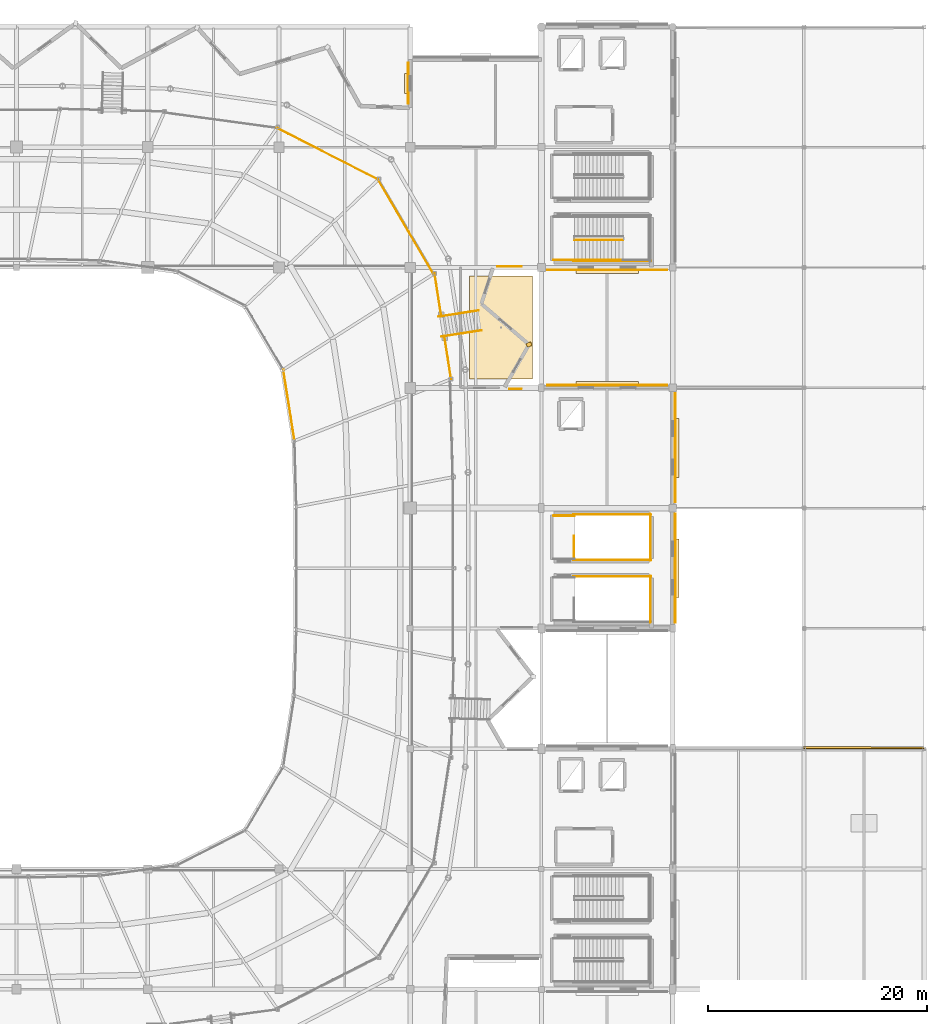
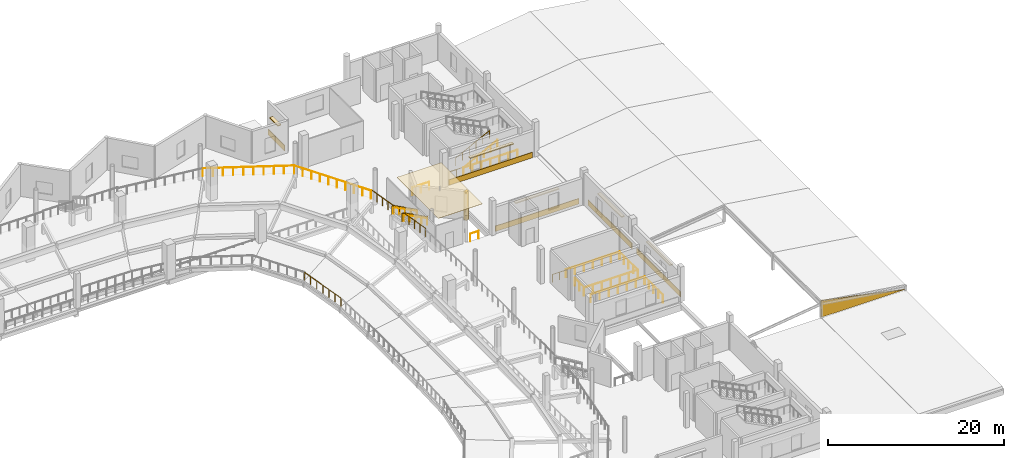
# One storey, part 75 of 77: 22 railings, 13 coverings.
"""IFC4 building model written with IfcOpenShell, lengths in metres."""

from ifc_helpers import new_model, si_unit, direction, frame, origin, origin_2d, place, context, subcontext, project, spatial, polyline, rectangle, circle, outline, extrude, material, layer, layer_set, type_object, element, save


model = new_model("IFC4")

# Units and contexts
model_context = context("Model", 3, precision=1e-05, world=origin(), true_north=direction((0.0, 1.0)))
body_context = subcontext(model_context, "Body", "Model", "MODEL_VIEW")
ifc_project = project(units=[si_unit("LENGTHUNIT", "METRE"), si_unit("AREAUNIT", "SQUARE_METRE"), si_unit("VOLUMEUNIT", "CUBIC_METRE"), si_unit("PLANEANGLEUNIT", "RADIAN"), si_unit("MASSUNIT", "GRAM", prefix="KILO")], contexts=[model_context])

# Site, building, storey
site_placement = place(None, origin())
site = spatial("IfcSite", under=ifc_project, at=site_placement, CompositionType="ELEMENT")
building_placement = place(site_placement, origin())
building = spatial("IfcBuilding", under=site, at=building_placement, Name="Luwafu Chhajja Arena", CompositionType="ELEMENT")
storey_placement = place(building_placement, frame((0.0, 0.0, 14.699951171875)))
storey = spatial("IfcBuildingStorey", under=building, at=storey_placement, Name="L03", CompositionType="ELEMENT", Elevation=14.699951171875)

# Railings
ifc_material_1 = material(Name="Stainless steel balustrade", Category="steel")
railing_type_1 = type_object("IfcRailingType", Name="Atrium Void Glazed Balustrade 1150", PredefinedType="BALUSTRADE", material=ifc_material_1)
railing_1_placement = place(storey_placement, frame((146.22998046875, 73.06640625, 0.0)))
element("IfcRailing", 1, at=railing_1_placement, inside=storey, type_object=railing_type_1, Name="L03 Vomitory VM-09 Guard L", PredefinedType="BALUSTRADE", context=body_context, shape_type="SweptSolid", body=[
    extrude(circle(Radius=0.02392578125, at=origin_2d()), frame((0.0, 0.0, 1.1259765625), z_axis=(-0.85023777586, -0.133039150578, 0.509309639527), x_axis=(0.154591826096, -0.987978424514, 0.0)), (0.0, 0.0, 1.0), 3.98583984375),
    extrude(circle(Radius=0.02392578125, at=origin_2d()), frame((-3.388916015625, -0.5302734375, 3.15576171875), z_axis=(-0.98803064077, -0.154257748263, 0.0), x_axis=(0.154257748263, -0.98803064077, 0.0)), (0.0, 0.0, 1.0), 0.25),
    extrude(circle(Radius=0.02099609375, at=origin_2d()), origin(), (0.0, 0.0, 1.0), 1.101806640625),
    extrude(circle(Radius=0.02099609375, at=origin_2d()), frame((-0.84716796875, -0.132568359375, 0.507568359375)), (0.0, 0.0, 1.0), 1.101806640625),
    extrude(circle(Radius=0.02099609375, at=origin_2d()), frame((-1.6943359375, -0.26513671875, 1.01513671875)), (0.0, 0.0, 1.0), 1.101806640625),
    extrude(circle(Radius=0.02099609375, at=origin_2d()), frame((-2.541748046875, -0.397705078125, 1.5224609375)), (0.0, 0.0, 1.0), 1.101806640625),
    extrude(circle(Radius=0.02099609375, at=origin_2d()), frame((-3.388916015625, -0.5302734375, 2.030029296875)), (0.0, 0.0, 1.0), 1.101806640625),
    extrude(circle(Radius=0.02099609375, at=origin_2d()), frame((-3.635986328125, -0.56884765625, 2.030029296875)), (0.0, 0.0, 1.0), 1.101806640625),
])
railing_2_placement = place(storey_placement, frame((146.514404296875, 71.24853515625, 0.0)))
element("IfcRailing", 2, at=railing_2_placement, inside=storey, type_object=railing_type_1, Name="L03 Vomitory VM-09 Guard R", PredefinedType="BALUSTRADE", context=body_context, shape_type="SweptSolid", body=[
    extrude(circle(Radius=0.02392578125, at=origin_2d()), frame((0.0, 0.0, 1.1259765625), z_axis=(-0.850220801891, -0.133046079374, 0.509336164822), x_axis=(0.154602697631, -0.987976723352, 0.0)), (0.0, 0.0, 1.0), 3.985595703125),
    extrude(circle(Radius=0.02392578125, at=origin_2d()), frame((-3.388671875, -0.5302734375, 3.15576171875), z_axis=(-0.98803064077, -0.154257748263, 0.0), x_axis=(0.154257748263, -0.98803064077, 0.0)), (0.0, 0.0, 1.0), 0.25),
    extrude(circle(Radius=0.02099609375, at=origin_2d()), origin(), (0.0, 0.0, 1.0), 1.101806640625),
    extrude(circle(Radius=0.02099609375, at=origin_2d()), frame((-0.84716796875, -0.132568359375, 0.507568359375)), (0.0, 0.0, 1.0), 1.101806640625),
    extrude(circle(Radius=0.02099609375, at=origin_2d()), frame((-1.6943359375, -0.26513671875, 1.01513671875)), (0.0, 0.0, 1.0), 1.101806640625),
    extrude(circle(Radius=0.02099609375, at=origin_2d()), frame((-2.54150390625, -0.397705078125, 1.5224609375)), (0.0, 0.0, 1.0), 1.101806640625),
    extrude(circle(Radius=0.02099609375, at=origin_2d()), frame((-3.388671875, -0.5302734375, 2.030029296875)), (0.0, 0.0, 1.0), 1.101806640625),
    extrude(circle(Radius=0.02099609375, at=origin_2d()), frame((-3.6357421875, -0.56884765625, 2.030029296875)), (0.0, 0.0, 1.0), 1.101806640625),
])
for number, where, name in (
    (3, (142.227294921875, 76.4580078125, 2.030029296875), "L03 Vomitory VM-09 Wing Guard L"),
    (4, (143.125732421875, 70.71826171875, 2.030029296875), "L03 Vomitory VM-09 Wing Guard R"),
):
    element("IfcRailing", number, at=place(storey_placement, frame(where)), inside=storey, type_object=railing_type_1, Name=name, PredefinedType="BALUSTRADE", context=body_context, shape_type="SweptSolid", body=[
        extrude(circle(Radius=0.02392578125, at=origin_2d()), frame((0.0, 0.0, 1.1259765625), z_axis=(0.154617022341, -0.987974481656, 0.0), x_axis=(0.987974481656, 0.154617022341, 0.0)), (0.0, 0.0, 1.0), 3.9697265625),
        extrude(circle(Radius=0.02099609375, at=origin_2d()), origin(), (0.0, 0.0, 1.0), 1.101806640625),
        extrude(circle(Radius=0.02099609375, at=origin_2d()), frame((0.1533203125, -0.98046875, 0.0)), (0.0, 0.0, 1.0), 1.101806640625),
        extrude(circle(Radius=0.02099609375, at=origin_2d()), frame((0.306884765625, -1.9609375, 0.0)), (0.0, 0.0, 1.0), 1.101806640625),
        extrude(circle(Radius=0.02099609375, at=origin_2d()), frame((0.46044921875, -2.94140625, 0.0)), (0.0, 0.0, 1.0), 1.101806640625),
        extrude(circle(Radius=0.02099609375, at=origin_2d()), frame((0.61376953125, -3.921875, 0.0)), (0.0, 0.0, 1.0), 1.101806640625),
    ])

# Coverings
ifc_material_2 = material(Name="Red laterite sandstone cladding", Category="masonry")
ifc_layer_1 = layer(ifc_material_2, 0.074951171875, Name="Red laterite sandstone cladding")
ifc_layer_set_1 = layer_set([ifc_layer_1], Name="Red laterite sandstone cladding")
covering_type_1 = type_object("IfcCoveringType", Name="Dressed Red-Laterite Sandstone Cladding", PredefinedType="CLADDING", material=ifc_layer_set_1)
covering_1_placement = place(storey_placement, frame((176.0, 33.0, 0.050048828125), z_axis=(0.0, -0.999848516615, 0.01740528147), x_axis=(1.0, 0.0, 0.0)))
element("IfcCovering", 5, at=covering_1_placement, inside=storey, type_object=covering_type_1, Name="L03 East Pavilion S Tympanum Cladding", PredefinedType="CLADDING", context=body_context, shape_type="SweptSolid", body=[
    extrude(outline(polyline([(0.0, 0.0), (11.0, 0.0), (0.0, 2.300397300095152), (0.0, 0.0)])), origin(), (0.0, 0.0, -1.0), 0.159912109375),
])
covering_2_placement = place(storey_placement, frame((150.86279296875, 69.955322265625, 0.0), z_axis=(0.0, 0.0, 1.0), x_axis=(0.930258694901, 0.366904293461, 0.0)))
element("IfcCovering", 6, at=covering_2_placement, inside=storey, type_object=covering_type_1, Name="L03 Pleated Bowl Sandstone Ridge Fin 03", PredefinedType="CLADDING", context=body_context, shape_type="SweptSolid", body=[
    extrude(rectangle(XDim=0.4599609375, YDim=0.360107421875, at=origin_2d()), origin(), (0.0, 0.0, 1.0), 3.929931640625),
])
covering_3_placement = place(storey_placement, frame((139.80810546875, 93.825927734375, 0.0), z_axis=(0.0, 0.0, 1.0), x_axis=(0.0, 1.0, 0.0)))
element("IfcCovering", 7, at=covering_3_placement, inside=storey, type_object=covering_type_1, Name="L03 Red-Laterite Sandstone Plinth Cladding 091", PredefinedType="CLADDING", context=body_context, shape_type="SweptSolid", body=[
    extrude(rectangle(XDim=3.748291015625, YDim=0.0849609375, at=origin_2d()), origin(), (0.0, 0.0, 1.0), 0.760009765625),
])
covering_4_placement = place(storey_placement, frame((139.679931640625, 93.82568359375, 2.93017578125), z_axis=(0.0, 0.0, 1.0), x_axis=(0.0, 1.0, 0.0)))
element("IfcCovering", 8, at=covering_4_placement, inside=storey, type_object=covering_type_1, Name="L03 Mughal Sandstone Window Chhajja Hood 0085", PredefinedType="CLADDING", context=body_context, shape_type="SweptSolid", body=[
    extrude(rectangle(XDim=1.85009765625, YDim=0.419921875, at=origin_2d()), origin(), (0.0, 0.0, 1.0), 0.139892578125),
])
covering_5_placement = place(storey_placement, frame((164.23193359375, 49.5, 0.0), z_axis=(0.0, 0.0, 1.0), x_axis=(0.0, 1.0, 0.0)))
element("IfcCovering", 9, at=covering_5_placement, inside=storey, type_object=covering_type_1, Name="L03 Red-Laterite Sandstone Plinth Cladding 097", PredefinedType="CLADDING", context=body_context, shape_type="SweptSolid", body=[
    extrude(rectangle(XDim=9.9599609375, YDim=0.0849609375, at=origin_2d()), origin(), (0.0, 0.0, 1.0), 0.760009765625),
])
covering_6_placement = place(storey_placement, frame((164.360107421875, 49.5, 2.93017578125), z_axis=(0.0, 0.0, 1.0), x_axis=(0.0, 1.0, 0.0)))
element("IfcCovering", 10, at=covering_6_placement, inside=storey, type_object=covering_type_1, Name="L03 Mughal Sandstone Window Chhajja Hood 0090", PredefinedType="CLADDING", context=body_context, shape_type="SweptSolid", body=[
    extrude(rectangle(XDim=5.3701171875, YDim=0.419921875, at=origin_2d()), origin(), (0.0, 0.0, 1.0), 0.139892578125),
])
covering_7_placement = place(storey_placement, frame((158.0, 66.23193359375, 0.0), z_axis=(0.0, 0.0, 1.0), x_axis=(1.0, 0.0, 0.0)))
element("IfcCovering", 11, at=covering_7_placement, inside=storey, type_object=covering_type_1, Name="L03 Red-Laterite Sandstone Plinth Cladding 098", PredefinedType="CLADDING", context=body_context, shape_type="SweptSolid", body=[
    extrude(rectangle(XDim=10.9599609375, YDim=0.0849609375, at=origin_2d()), origin(), (0.0, 0.0, 1.0), 0.760009765625),
])
covering_8_placement = place(storey_placement, frame((158.0, 66.360107421875, 2.93017578125), z_axis=(0.0, 0.0, 1.0), x_axis=(1.0, 0.0, 0.0)))
element("IfcCovering", 12, at=covering_8_placement, inside=storey, type_object=covering_type_1, Name="L03 Mughal Sandstone Window Chhajja Hood 0091", PredefinedType="CLADDING", context=body_context, shape_type="SweptSolid", body=[
    extrude(rectangle(XDim=5.703369140625, YDim=0.419921875, at=origin_2d()), origin(), (0.0, 0.0, 1.0), 0.139892578125),
])
covering_9_placement = place(storey_placement, frame((164.23193359375, 60.5, 0.0), z_axis=(0.0, 0.0, 1.0), x_axis=(0.0, 1.0, 0.0)))
element("IfcCovering", 13, at=covering_9_placement, inside=storey, type_object=covering_type_1, Name="L03 Red-Laterite Sandstone Plinth Cladding 099", PredefinedType="CLADDING", context=body_context, shape_type="SweptSolid", body=[
    extrude(rectangle(XDim=9.9599609375, YDim=0.0849609375, at=origin_2d()), origin(), (0.0, 0.0, 1.0), 0.760009765625),
])
covering_10_placement = place(storey_placement, frame((164.360107421875, 60.5, 2.93017578125), z_axis=(0.0, 0.0, 1.0), x_axis=(0.0, 1.0, 0.0)))
element("IfcCovering", 14, at=covering_10_placement, inside=storey, type_object=covering_type_1, Name="L03 Mughal Sandstone Window Chhajja Hood 0092", PredefinedType="CLADDING", context=body_context, shape_type="SweptSolid", body=[
    extrude(rectangle(XDim=5.3701171875, YDim=0.419921875, at=origin_2d()), origin(), (0.0, 0.0, 1.0), 0.139892578125),
])
covering_11_placement = place(storey_placement, frame((158.0, 76.76806640625, 0.0), z_axis=(0.0, 0.0, 1.0), x_axis=(1.0, 0.0, 0.0)))
element("IfcCovering", 15, at=covering_11_placement, inside=storey, type_object=covering_type_1, Name="L03 Red-Laterite Sandstone Plinth Cladding 100", PredefinedType="CLADDING", context=body_context, shape_type="SweptSolid", body=[
    extrude(rectangle(XDim=10.9599609375, YDim=0.0849609375, at=origin_2d()), origin(), (0.0, 0.0, 1.0), 0.760009765625),
])
covering_12_placement = place(storey_placement, frame((158.0, 76.639892578125, 2.93017578125), z_axis=(0.0, 0.0, 1.0), x_axis=(1.0, 0.0, 0.0)))
element("IfcCovering", 16, at=covering_12_placement, inside=storey, type_object=covering_type_1, Name="L03 Mughal Sandstone Window Chhajja Hood 0093", PredefinedType="CLADDING", context=body_context, shape_type="SweptSolid", body=[
    extrude(rectangle(XDim=5.703369140625, YDim=0.419921875, at=origin_2d()), origin(), (0.0, 0.0, 1.0), 0.139892578125),
])
ifc_material_3 = material(Name="Acoustic gypsum ceiling board")
ifc_layer_2 = layer(ifc_material_3, 0.0400390625, Name="Acoustic gypsum ceiling board")
ifc_layer_set_2 = layer_set([ifc_layer_2], Name="Acoustic gypsum ceiling board")
covering_type_2 = type_object("IfcCoveringType", Name="Perforated Acoustic Baffle Ceiling", PredefinedType="CEILING", material=ifc_layer_set_2)
covering_13_placement = place(storey_placement, frame((0.0, 0.0, 3.916015625)))
element("IfcCovering", 17, at=covering_13_placement, inside=storey, type_object=covering_type_2, Name="L03 Acoustic Baffle Ceiling 048", PredefinedType="CEILING", context=body_context, shape_type="SweptSolid", body=[
    extrude(outline(polyline([(145.39990234375, 66.800048828125), (151.199951171875, 66.800048828125), (151.199951171875, 76.199951171875), (145.39990234375, 76.199951171875), (145.39990234375, 66.800048828125)])), origin(), (0.0, 0.0, 1.0), 0.0400390625),
])

# Railings
railing_type_2 = type_object("IfcRailingType", Name="Seating Bowl Sightline Barrier 1100", PredefinedType="BALUSTRADE", material=ifc_material_1)
railing_3_placement = place(storey_placement, frame((129.4228515625, 61.154296875, 0.830078125)))
element("IfcRailing", 18, at=railing_3_placement, inside=storey, type_object=railing_type_2, Name="L03 Upper Tier Front Barrier 0057", PredefinedType="BALUSTRADE", context=body_context, shape_type="SweptSolid", body=[
    extrude(circle(Radius=0.02392578125, at=origin_2d()), frame((0.0, 0.0, 1.09619140625), z_axis=(-0.156019637452, 0.987753953538, 0.0), x_axis=(-0.987753953538, -0.156019637452, 0.0)), (0.0, 0.0, 1.0), 6.591064453125),
    extrude(circle(Radius=0.02099609375, at=origin_2d()), origin(), (0.0, 0.0, 1.0), 1.072021484375),
    extrude(circle(Radius=0.02099609375, at=origin_2d()), frame((-0.17138671875, 1.0849609375, 0.0)), (0.0, 0.0, 1.0), 1.072021484375),
    extrude(circle(Radius=0.02099609375, at=origin_2d()), frame((-0.3427734375, 2.170166015625, 0.0)), (0.0, 0.0, 1.0), 1.072021484375),
    extrude(circle(Radius=0.02099609375, at=origin_2d()), frame((-0.51416015625, 3.255126953125, 0.0)), (0.0, 0.0, 1.0), 1.072021484375),
    extrude(circle(Radius=0.02099609375, at=origin_2d()), frame((-0.685546875, 4.340087890625, 0.0)), (0.0, 0.0, 1.0), 1.072021484375),
    extrude(circle(Radius=0.02099609375, at=origin_2d()), frame((-0.85693359375, 5.42529296875, 0.0)), (0.0, 0.0, 1.0), 1.072021484375),
    extrude(circle(Radius=0.02099609375, at=origin_2d()), frame((-1.0283203125, 6.51025390625, 0.0)), (0.0, 0.0, 1.0), 1.072021484375),
])
railing_4_placement = place(storey_placement, frame((142.131103515625, 76.393798828125, 2.030029296875)))
element("IfcRailing", 19, at=railing_4_placement, inside=storey, type_object=railing_type_2, Name="L03 Upper Tier Rear Barrier 0061", PredefinedType="BALUSTRADE", context=body_context, shape_type="SweptSolid", body=[
    extrude(circle(Radius=0.02392578125, at=origin_2d()), frame((0.0, 0.0, 1.09619140625), z_axis=(-0.505876655953, 0.86260582479, 0.0), x_axis=(-0.86260582479, -0.505876655953, 0.0)), (0.0, 0.0, 1.0), 10.00634765625),
    extrude(circle(Radius=0.02099609375, at=origin_2d()), origin(), (0.0, 0.0, 1.0), 1.072021484375),
    extrude(circle(Radius=0.02099609375, at=origin_2d()), frame((-0.5625, 0.958984375, 0.0)), (0.0, 0.0, 1.0), 1.072021484375),
    extrude(circle(Radius=0.02099609375, at=origin_2d()), frame((-1.125, 1.918212890625, 0.0)), (0.0, 0.0, 1.0), 1.072021484375),
    extrude(circle(Radius=0.02099609375, at=origin_2d()), frame((-1.687255859375, 2.877197265625, 0.0)), (0.0, 0.0, 1.0), 1.072021484375),
    extrude(circle(Radius=0.02099609375, at=origin_2d()), frame((-2.249755859375, 3.836181640625, 0.0)), (0.0, 0.0, 1.0), 1.072021484375),
    extrude(circle(Radius=0.02099609375, at=origin_2d()), frame((-2.812255859375, 4.79541015625, 0.0)), (0.0, 0.0, 1.0), 1.072021484375),
    extrude(circle(Radius=0.02099609375, at=origin_2d()), frame((-3.374755859375, 5.75439453125, 0.0)), (0.0, 0.0, 1.0), 1.072021484375),
    extrude(circle(Radius=0.02099609375, at=origin_2d()), frame((-3.93701171875, 6.71337890625, 0.0)), (0.0, 0.0, 1.0), 1.072021484375),
    extrude(circle(Radius=0.02099609375, at=origin_2d()), frame((-4.49951171875, 7.672607421875, 0.0)), (0.0, 0.0, 1.0), 1.072021484375),
    extrude(circle(Radius=0.02099609375, at=origin_2d()), frame((-5.06201171875, 8.631591796875, 0.0)), (0.0, 0.0, 1.0), 1.072021484375),
])
railing_5_placement = place(storey_placement, frame((137.069091796875, 85.025390625, 2.030029296875)))
element("IfcRailing", 20, at=railing_5_placement, inside=storey, type_object=railing_type_2, Name="L03 Upper Tier Rear Barrier 0065", PredefinedType="BALUSTRADE", context=body_context, shape_type="SweptSolid", body=[
    extrude(circle(Radius=0.02392578125, at=origin_2d()), frame((0.0, 0.0, 1.09619140625), z_axis=(-0.890572447009, 0.45484141921, 0.0), x_axis=(-0.45484141921, -0.890572447009, 0.0)), (0.0, 0.0, 1.0), 10.38623046875),
    extrude(circle(Radius=0.02099609375, at=origin_2d()), origin(), (0.0, 0.0, 1.0), 1.072021484375),
    extrude(circle(Radius=0.02099609375, at=origin_2d()), frame((-1.02783203125, 0.52490234375, 0.0)), (0.0, 0.0, 1.0), 1.072021484375),
    extrude(circle(Radius=0.02099609375, at=origin_2d()), frame((-2.055419921875, 1.0498046875, 0.0)), (0.0, 0.0, 1.0), 1.072021484375),
    extrude(circle(Radius=0.02099609375, at=origin_2d()), frame((-3.083251953125, 1.57470703125, 0.0)), (0.0, 0.0, 1.0), 1.072021484375),
    extrude(circle(Radius=0.02099609375, at=origin_2d()), frame((-4.111083984375, 2.099609375, 0.0)), (0.0, 0.0, 1.0), 1.072021484375),
    extrude(circle(Radius=0.02099609375, at=origin_2d()), frame((-5.138671875, 2.62451171875, 0.0)), (0.0, 0.0, 1.0), 1.072021484375),
    extrude(circle(Radius=0.02099609375, at=origin_2d()), frame((-6.16650390625, 3.1494140625, 0.0)), (0.0, 0.0, 1.0), 1.072021484375),
    extrude(circle(Radius=0.02099609375, at=origin_2d()), frame((-7.1943359375, 3.67431640625, 0.0)), (0.0, 0.0, 1.0), 1.072021484375),
    extrude(circle(Radius=0.02099609375, at=origin_2d()), frame((-8.221923828125, 4.19921875, 0.0)), (0.0, 0.0, 1.0), 1.072021484375),
    extrude(circle(Radius=0.02099609375, at=origin_2d()), frame((-9.249755859375, 4.72412109375, 0.0)), (0.0, 0.0, 1.0), 1.072021484375),
])
ifc_material_4 = material(Name="Stainless steel handrail", Category="steel")
railing_type_3 = type_object("IfcRailingType", Name="Stair Pitch Wall Handrail 920", PredefinedType="HANDRAIL", material=ifc_material_4)
railing_6_placement = place(storey_placement, frame((155.02001953125, 77.699951171875, 0.17138671875)))
element("IfcRailing", 21, at=railing_6_placement, inside=storey, type_object=railing_type_3, Name="L03 ST-07 stair handrail 1", PredefinedType="HANDRAIL", context=body_context, shape_type="SweptSolid", body=[
    extrude(circle(Radius=0.02392578125, at=origin_2d()), frame((0.0, 0.0, 0.8759765625), z_axis=(0.892902951771, 0.0, 0.450249174034), x_axis=(0.0, 1.0, 0.0)), (0.0, 0.0, 1.0), 4.949951171875),
    extrude(circle(Radius=0.02099609375, at=origin_2d()), origin(), (0.0, 0.0, 1.0), 0.851806640625),
    extrude(circle(Radius=0.02099609375, at=origin_2d()), frame((0.884033203125, 0.0, 0.44580078125)), (0.0, 0.0, 1.0), 0.851806640625),
    extrude(circle(Radius=0.02099609375, at=origin_2d()), frame((1.76806640625, 0.0, 0.8916015625)), (0.0, 0.0, 1.0), 0.851806640625),
    extrude(circle(Radius=0.02099609375, at=origin_2d()), frame((2.65185546875, 0.0, 1.337158203125)), (0.0, 0.0, 1.0), 0.851806640625),
    extrude(circle(Radius=0.02099609375, at=origin_2d()), frame((3.535888671875, 0.0, 1.782958984375)), (0.0, 0.0, 1.0), 0.851806640625),
    extrude(circle(Radius=0.02099609375, at=origin_2d()), frame((4.419921875, 0.0, 2.228759765625)), (0.0, 0.0, 1.0), 0.851806640625),
])
railing_7_placement = place(storey_placement, frame((146.22998046875, 73.06640625, 0.0)))
element("IfcRailing", 22, at=railing_7_placement, inside=storey, type_object=railing_type_3, Name="L03 Vomitory VM-09 Handrail L", PredefinedType="HANDRAIL", context=body_context, shape_type="SweptSolid", body=[
    extrude(circle(Radius=0.02392578125, at=origin_2d()), frame((0.0, 0.0, 0.89599609375), z_axis=(-0.85023777586, -0.133039150578, 0.509309639527), x_axis=(0.154591826096, -0.987978424514, 0.0)), (0.0, 0.0, 1.0), 3.98583984375),
    extrude(circle(Radius=0.02099609375, at=origin_2d()), origin(), (0.0, 0.0, 1.0), 0.871826171875),
    extrude(circle(Radius=0.02099609375, at=origin_2d()), frame((-0.84716796875, -0.132568359375, 0.507568359375)), (0.0, 0.0, 1.0), 0.871826171875),
    extrude(circle(Radius=0.02099609375, at=origin_2d()), frame((-1.6943359375, -0.26513671875, 1.01513671875)), (0.0, 0.0, 1.0), 0.871826171875),
    extrude(circle(Radius=0.02099609375, at=origin_2d()), frame((-2.541748046875, -0.397705078125, 1.5224609375)), (0.0, 0.0, 1.0), 0.871826171875),
    extrude(circle(Radius=0.02099609375, at=origin_2d()), frame((-3.388916015625, -0.5302734375, 2.030029296875)), (0.0, 0.0, 1.0), 0.871826171875),
])
railing_8_placement = place(storey_placement, frame((146.514404296875, 71.24853515625, 0.0)))
element("IfcRailing", 23, at=railing_8_placement, inside=storey, type_object=railing_type_3, Name="L03 Vomitory VM-09 Handrail R", PredefinedType="HANDRAIL", context=body_context, shape_type="SweptSolid", body=[
    extrude(circle(Radius=0.02392578125, at=origin_2d()), frame((0.0, 0.0, 0.89599609375), z_axis=(-0.850220801891, -0.133046079374, 0.509336164822), x_axis=(0.154602697631, -0.987976723352, 0.0)), (0.0, 0.0, 1.0), 3.985595703125),
    extrude(circle(Radius=0.02099609375, at=origin_2d()), origin(), (0.0, 0.0, 1.0), 0.871826171875),
    extrude(circle(Radius=0.02099609375, at=origin_2d()), frame((-0.84716796875, -0.132568359375, 0.507568359375)), (0.0, 0.0, 1.0), 0.871826171875),
    extrude(circle(Radius=0.02099609375, at=origin_2d()), frame((-1.6943359375, -0.26513671875, 1.01513671875)), (0.0, 0.0, 1.0), 0.871826171875),
    extrude(circle(Radius=0.02099609375, at=origin_2d()), frame((-2.54150390625, -0.397705078125, 1.5224609375)), (0.0, 0.0, 1.0), 0.871826171875),
    extrude(circle(Radius=0.02099609375, at=origin_2d()), frame((-3.388671875, -0.5302734375, 2.030029296875)), (0.0, 0.0, 1.0), 0.871826171875),
])
railing_type_4 = type_object("IfcRailingType", Name="Stair and Terrace Guard Balustrade 1100", PredefinedType="BALUSTRADE", material=ifc_material_1)
railing_9_placement = place(storey_placement, frame((155.02001953125, 79.52001953125, 0.17138671875)))
element("IfcRailing", 24, at=railing_9_placement, inside=storey, type_object=railing_type_4, Name="L03 ST-07 stair guard 1", PredefinedType="BALUSTRADE", context=body_context, shape_type="SweptSolid", body=[
    extrude(circle(Radius=0.02392578125, at=origin_2d()), frame((0.0, 0.0, 1.076171875), z_axis=(0.892902951771, 0.0, 0.450249174034), x_axis=(0.0, 1.0, 0.0)), (0.0, 0.0, 1.0), 4.949951171875),
    extrude(circle(Radius=0.02099609375, at=origin_2d()), origin(), (0.0, 0.0, 1.0), 1.052001953125),
    extrude(circle(Radius=0.02099609375, at=origin_2d()), frame((0.884033203125, 0.0, 0.44580078125)), (0.0, 0.0, 1.0), 1.052001953125),
    extrude(circle(Radius=0.02099609375, at=origin_2d()), frame((1.76806640625, 0.0, 0.8916015625)), (0.0, 0.0, 1.0), 1.052001953125),
    extrude(circle(Radius=0.02099609375, at=origin_2d()), frame((2.65185546875, 0.0, 1.337158203125)), (0.0, 0.0, 1.0), 1.052001953125),
    extrude(circle(Radius=0.02099609375, at=origin_2d()), frame((3.535888671875, 0.0, 1.782958984375)), (0.0, 0.0, 1.0), 1.052001953125),
    extrude(circle(Radius=0.02099609375, at=origin_2d()), frame((4.419921875, 0.0, 2.228759765625)), (0.0, 0.0, 1.0), 1.052001953125),
])
railing_10_placement = place(storey_placement, frame((153.10009765625, 77.699951171875, 0.0)))
element("IfcRailing", 25, at=railing_10_placement, inside=storey, type_object=railing_type_4, Name="L03 ST-07 stair guard 8", PredefinedType="BALUSTRADE", context=body_context, shape_type="SweptSolid", body=[
    extrude(circle(Radius=0.02392578125, at=origin_2d()), frame((0.0, 0.0, 1.076171875), z_axis=(1.0, 0.0, 0.0), x_axis=(0.0, 1.0, 0.0)), (0.0, 0.0, 1.0), 1.919921875),
    extrude(circle(Radius=0.02099609375, at=origin_2d()), origin(), (0.0, 0.0, 1.0), 1.052001953125),
    extrude(circle(Radius=0.02099609375, at=origin_2d()), frame((0.9599609375, 0.0, 0.0)), (0.0, 0.0, 1.0), 1.052001953125),
    extrude(circle(Radius=0.02099609375, at=origin_2d()), frame((1.919921875, 0.0, 0.0)), (0.0, 0.0, 1.0), 1.052001953125),
])
for number, where, name in (
    (26, (154.919921875, 77.60009765625, 0.0), "L03 ST-07 stair guard 10"),
    (27, (154.919921875, 48.739990234375, 0.0), "L03 ST-11 top well guard 3"),
):
    element("IfcRailing", number, at=place(storey_placement, frame(where)), inside=storey, type_object=railing_type_4, Name=name, PredefinedType="BALUSTRADE", context=body_context, shape_type="SweptSolid", body=[
        extrude(circle(Radius=0.02392578125, at=origin_2d()), frame((0.0, 0.0, 1.076171875), z_axis=(1.0, 0.0, 0.0), x_axis=(0.0, 1.0, 0.0)), (0.0, 0.0, 1.0), 7.080078125),
        extrude(circle(Radius=0.02099609375, at=origin_2d()), origin(), (0.0, 0.0, 1.0), 1.052001953125),
        extrude(circle(Radius=0.02099609375, at=origin_2d()), frame((1.179931640625, 0.0, 0.0)), (0.0, 0.0, 1.0), 1.052001953125),
        extrude(circle(Radius=0.02099609375, at=origin_2d()), frame((2.360107421875, 0.0, 0.0)), (0.0, 0.0, 1.0), 1.052001953125),
        extrude(circle(Radius=0.02099609375, at=origin_2d()), frame((3.5400390625, 0.0, 0.0)), (0.0, 0.0, 1.0), 1.052001953125),
        extrude(circle(Radius=0.02099609375, at=origin_2d()), frame((4.719970703125, 0.0, 0.0)), (0.0, 0.0, 1.0), 1.052001953125),
        extrude(circle(Radius=0.02099609375, at=origin_2d()), frame((5.900146484375, 0.0, 0.0)), (0.0, 0.0, 1.0), 1.052001953125),
        extrude(circle(Radius=0.02099609375, at=origin_2d()), frame((7.080078125, 0.0, 0.0)), (0.0, 0.0, 1.0), 1.052001953125),
    ])
railing_11_placement = place(storey_placement, frame((161.949951171875, 44.550048828125, 0.0)))
element("IfcRailing", 28, at=railing_11_placement, inside=storey, type_object=railing_type_4, Name="L03 ST-11 top well guard 4", PredefinedType="BALUSTRADE", context=body_context, shape_type="SweptSolid", body=[
    extrude(circle(Radius=0.02392578125, at=origin_2d()), frame((0.0, 0.0, 1.076171875), z_axis=(0.0, 1.0, 0.0), x_axis=(-1.0, 0.0, 0.0)), (0.0, 0.0, 1.0), 4.239990234375),
    extrude(circle(Radius=0.02099609375, at=origin_2d()), origin(), (0.0, 0.0, 1.0), 1.052001953125),
    extrude(circle(Radius=0.02099609375, at=origin_2d()), frame((0.0, 1.06005859375, 0.0)), (0.0, 0.0, 1.0), 1.052001953125),
    extrude(circle(Radius=0.02099609375, at=origin_2d()), frame((0.0, 2.1201171875, 0.0)), (0.0, 0.0, 1.0), 1.052001953125),
    extrude(circle(Radius=0.02099609375, at=origin_2d()), frame((0.0, 3.179931640625, 0.0)), (0.0, 0.0, 1.0), 1.052001953125),
    extrude(circle(Radius=0.02099609375, at=origin_2d()), frame((0.0, 4.239990234375, 0.0)), (0.0, 0.0, 1.0), 1.052001953125),
])
railing_12_placement = place(storey_placement, frame((154.969970703125, 50.31005859375, 0.0)))
element("IfcRailing", 29, at=railing_12_placement, inside=storey, type_object=railing_type_4, Name="L03 ST-12 top well guard 1", PredefinedType="BALUSTRADE", context=body_context, shape_type="SweptSolid", body=[
    extrude(circle(Radius=0.02392578125, at=origin_2d()), frame((0.0, 0.0, 1.076171875), z_axis=(0.0, 1.0, 0.0), x_axis=(-1.0, 0.0, 0.0)), (0.0, 0.0, 1.0), 2.119873046875),
    extrude(circle(Radius=0.02099609375, at=origin_2d()), origin(), (0.0, 0.0, 1.0), 1.052001953125),
    extrude(circle(Radius=0.02099609375, at=origin_2d()), frame((0.0, 1.06005859375, 0.0)), (0.0, 0.0, 1.0), 1.052001953125),
    extrude(circle(Radius=0.02099609375, at=origin_2d()), frame((0.0, 2.119873046875, 0.0)), (0.0, 0.0, 1.0), 1.052001953125),
])
for number, where, name in (
    (30, (154.919921875, 50.260009765625, 0.0), "L03 ST-12 top well guard 2"),
    (31, (154.919921875, 54.39990234375, 0.0), "L03 ST-12 top well guard 3"),
):
    element("IfcRailing", number, at=place(storey_placement, frame(where)), inside=storey, type_object=railing_type_4, Name=name, PredefinedType="BALUSTRADE", context=body_context, shape_type="SweptSolid", body=[
        extrude(circle(Radius=0.02392578125, at=origin_2d()), frame((0.0, 0.0, 1.076171875), z_axis=(1.0, 0.0, 0.0), x_axis=(0.0, 1.0, 0.0)), (0.0, 0.0, 1.0), 7.080078125),
        extrude(circle(Radius=0.02099609375, at=origin_2d()), origin(), (0.0, 0.0, 1.0), 1.052001953125),
        extrude(circle(Radius=0.02099609375, at=origin_2d()), frame((1.179931640625, 0.0, 0.0)), (0.0, 0.0, 1.0), 1.052001953125),
        extrude(circle(Radius=0.02099609375, at=origin_2d()), frame((2.360107421875, 0.0, 0.0)), (0.0, 0.0, 1.0), 1.052001953125),
        extrude(circle(Radius=0.02099609375, at=origin_2d()), frame((3.5400390625, 0.0, 0.0)), (0.0, 0.0, 1.0), 1.052001953125),
        extrude(circle(Radius=0.02099609375, at=origin_2d()), frame((4.719970703125, 0.0, 0.0)), (0.0, 0.0, 1.0), 1.052001953125),
        extrude(circle(Radius=0.02099609375, at=origin_2d()), frame((5.900146484375, 0.0, 0.0)), (0.0, 0.0, 1.0), 1.052001953125),
        extrude(circle(Radius=0.02099609375, at=origin_2d()), frame((7.080078125, 0.0, 0.0)), (0.0, 0.0, 1.0), 1.052001953125),
    ])
railing_13_placement = place(storey_placement, frame((161.949951171875, 50.2099609375, 0.0)))
element("IfcRailing", 32, at=railing_13_placement, inside=storey, type_object=railing_type_4, Name="L03 ST-12 top well guard 4", PredefinedType="BALUSTRADE", context=body_context, shape_type="SweptSolid", body=[
    extrude(circle(Radius=0.02392578125, at=origin_2d()), frame((0.0, 0.0, 1.076171875), z_axis=(0.0, 1.0, 0.0), x_axis=(-1.0, 0.0, 0.0)), (0.0, 0.0, 1.0), 4.239990234375),
    extrude(circle(Radius=0.02099609375, at=origin_2d()), origin(), (0.0, 0.0, 1.0), 1.052001953125),
    extrude(circle(Radius=0.02099609375, at=origin_2d()), frame((0.0, 1.06005859375, 0.0)), (0.0, 0.0, 1.0), 1.052001953125),
    extrude(circle(Radius=0.02099609375, at=origin_2d()), frame((0.0, 2.1201171875, 0.0)), (0.0, 0.0, 1.0), 1.052001953125),
    extrude(circle(Radius=0.02099609375, at=origin_2d()), frame((0.0, 3.179931640625, 0.0)), (0.0, 0.0, 1.0), 1.052001953125),
    extrude(circle(Radius=0.02099609375, at=origin_2d()), frame((0.0, 4.239990234375, 0.0)), (0.0, 0.0, 1.0), 1.052001953125),
])
railing_14_placement = place(storey_placement, frame((153.10009765625, 54.300048828125, 0.0)))
element("IfcRailing", 33, at=railing_14_placement, inside=storey, type_object=railing_type_4, Name="L03 ST-12 top well guard 6", PredefinedType="BALUSTRADE", context=body_context, shape_type="SweptSolid", body=[
    extrude(circle(Radius=0.02392578125, at=origin_2d()), frame((0.0, 0.0, 1.076171875), z_axis=(1.0, 0.0, 0.0), x_axis=(0.0, 1.0, 0.0)), (0.0, 0.0, 1.0), 1.919921875),
    extrude(circle(Radius=0.02099609375, at=origin_2d()), origin(), (0.0, 0.0, 1.0), 1.052001953125),
    extrude(circle(Radius=0.02099609375, at=origin_2d()), frame((0.9599609375, 0.0, 0.0)), (0.0, 0.0, 1.0), 1.052001953125),
    extrude(circle(Radius=0.02099609375, at=origin_2d()), frame((1.919921875, 0.0, 0.0)), (0.0, 0.0, 1.0), 1.052001953125),
])
railing_15_placement = place(storey_placement, frame((150.156005859375, 77.10009765625, 0.0)))
element("IfcRailing", 34, at=railing_15_placement, inside=storey, type_object=railing_type_4, Name="L03 Outer Slab Edge Guard 001", PredefinedType="BALUSTRADE", context=body_context, shape_type="SweptSolid", body=[
    extrude(circle(Radius=0.02392578125, at=origin_2d()), frame((0.0, 0.0, 1.09619140625), z_axis=(-1.0, 0.0, 0.0), x_axis=(0.0, -1.0, 0.0)), (0.0, 0.0, 1.0), 2.181884765625),
    extrude(circle(Radius=0.02099609375, at=origin_2d()), origin(), (0.0, 0.0, 1.0), 1.072021484375),
    extrude(circle(Radius=0.02099609375, at=origin_2d()), frame((-1.0908203125, 0.0, 0.0)), (0.0, 0.0, 1.0), 1.072021484375),
    extrude(circle(Radius=0.02099609375, at=origin_2d()), frame((-2.181884765625, 0.0, 0.0)), (0.0, 0.0, 1.0), 1.072021484375),
])
railing_16_placement = place(storey_placement, frame((149.05810546875, 65.89990234375, 0.0)))
element("IfcRailing", 35, at=railing_16_placement, inside=storey, type_object=railing_type_4, Name="L03 Outer Slab Edge Guard 002", PredefinedType="BALUSTRADE", context=body_context, shape_type="SweptSolid", body=[
    extrude(circle(Radius=0.02392578125, at=origin_2d()), frame((0.0, 0.0, 1.09619140625), z_axis=(1.0, 0.0, 0.0), x_axis=(0.0, 1.0, 0.0)), (0.0, 0.0, 1.0), 1.097900390625),
    extrude(circle(Radius=0.02099609375, at=origin_2d()), origin(), (0.0, 0.0, 1.0), 1.072021484375),
    extrude(circle(Radius=0.02099609375, at=origin_2d()), frame((1.097900390625, 0.0, 0.0)), (0.0, 0.0, 1.0), 1.072021484375),
])

save(model, "model.ifc")
